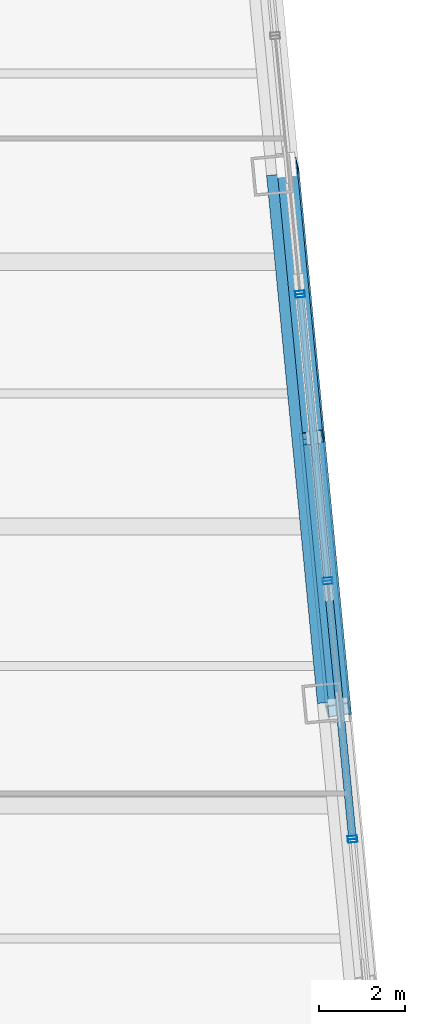
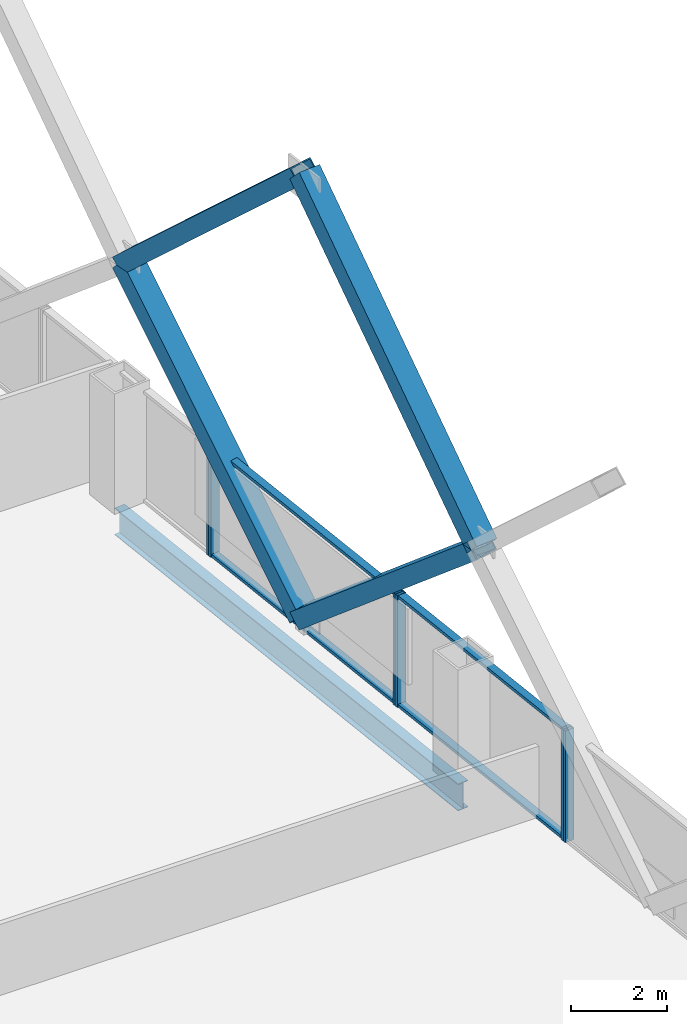
# One storey, part 16 of 32: 14 members, 1 beam, 4 elements without a shape of their own.
"""IFC4 building model written with IfcOpenShell, lengths in metres."""

from ifc_helpers import new_model, si_unit, direction, frame, origin, origin_2d, place, context, subcontext, project, spatial, hollow_rectangle, i_section, extrude, material, layer, layer_set, material_profile, profile_set, type_object, element, aggregate, save


model = new_model("IFC4")

# Units and contexts
model_context = context("Model", 3, precision=1e-05, world=origin(), true_north=direction((0.0, 1.0)))
body_context = subcontext(model_context, "Body", "Model", "MODEL_VIEW")
ifc_project = project(units=[si_unit("LENGTHUNIT", "METRE"), si_unit("AREAUNIT", "SQUARE_METRE"), si_unit("VOLUMEUNIT", "CUBIC_METRE"), si_unit("PLANEANGLEUNIT", "RADIAN"), si_unit("MASSUNIT", "GRAM", prefix="KILO")], contexts=[model_context])

# Site, building, storey
site_placement = place(None, origin())
site = spatial("IfcSite", under=ifc_project, at=site_placement, CompositionType="ELEMENT")
building_placement = place(site_placement, origin())
building = spatial("IfcBuilding", under=site, at=building_placement, Name="Qhalaya Broadcast Tower", CompositionType="ELEMENT")
storey_placement = place(building_placement, frame((0.0, 0.0, 81.64990234375)))
storey = spatial("IfcBuildingStorey", under=building, at=storey_placement, Name="L23", CompositionType="ELEMENT", Elevation=81.64990234375)

# Members
ifc_material_1 = material(Name="Structural Steel ASTM A572 Grade 50", Category="steel")
ifc_material_profile_1 = material_profile(ifc_material_1, hollow_rectangle(XDim=0.419921875, YDim=0.550048828125, WallThickness=0.028076171875, at=origin_2d()), Name="BOX 420x550x28")
ifc_profile_set_1 = profile_set([ifc_material_profile_1], Name="Structural Steel ASTM A572 Grade 50")
member_type_1 = type_object("IfcMemberType", Name="Exoskeleton Diamond Diagonal Mid-Low EX2", PredefinedType="BRACE", material=ifc_profile_set_1)
for number, where, z_axis, x_axis, name in (
    (1, (27.867431640625, 5.882568359375, 0.360107421875), (0.073066636585, -0.758635580976, 0.647405067864), (-0.157184996454, 0.632267567763, 0.758637330775), "B2 Exoskeleton Diamond Brace E2-D1"),
    (2, (27.867431640625, 5.882568359375, 0.360107421875), (-0.07303904182, 0.758624738066, 0.647420887186), (0.157164580548, -0.632288692036, 0.758623954634), "B2 Exoskeleton Diamond Brace E2-D2"),
):
    element("IfcMember", number, at=place(storey_placement, frame(where, z_axis=z_axis, x_axis=x_axis)), inside=storey, type_object=member_type_1, Name=name, PredefinedType="BRACE", context=body_context, shape_type="SweptSolid", body=[
        extrude(hollow_rectangle(XDim=0.419921875, YDim=0.550048828125, WallThickness=0.028076171875, at=origin_2d()), origin(), (0.0, 0.0, 1.0), 8.309814453125),
    ])
member_1_placement = place(storey_placement, frame((28.474609375, -0.421630859375, 5.739990234375), z_axis=(-0.070368182799, 0.730618100613, 0.6791505797), x_axis=(0.160214414414, -0.663721379818, 0.730619785789)))
element("IfcMember", 3, at=member_1_placement, inside=storey, type_object=member_type_1, Name="B2 Exoskeleton Diamond Brace E2-D3", PredefinedType="BRACE", context=body_context, shape_type="SweptSolid", body=[
    extrude(hollow_rectangle(XDim=0.419921875, YDim=0.550048828125, WallThickness=0.028076171875, at=origin_2d()), origin(), (0.0, 0.0, 1.0), 8.628662109375),
])
member_2_placement = place(storey_placement, frame((27.260498046875, 12.1865234375, 5.739990234375), z_axis=(0.070341482536, -0.730606363857, 0.679165971561), x_axis=(-0.160192867019, 0.663742185587, 0.73060560936)))
element("IfcMember", 4, at=member_2_placement, inside=storey, type_object=member_type_1, Name="B2 Exoskeleton Diamond Brace E2-D4", PredefinedType="BRACE", context=body_context, shape_type="SweptSolid", body=[
    extrude(hollow_rectangle(XDim=0.419921875, YDim=0.550048828125, WallThickness=0.028076171875, at=origin_2d()), origin(), (0.0, 0.0, 1.0), 8.62841796875),
])

# Beam
ifc_material_2 = material(Name="Structural Steel ASTM A992 Grade 50", Category="steel")
ifc_material_profile_2 = material_profile(ifc_material_2, i_section(OverallWidth=0.25390625, OverallDepth=0.68310546875, WebThickness=0.012451171875, FlangeThickness=0.01904296875, at=origin_2d()), Name="W27X94")
ifc_profile_set_2 = profile_set([ifc_material_profile_2], Name="Structural Steel ASTM A992 Grade 50")
beam_type = type_object("IfcBeamType", Name="Perimeter Ring Spandrel Beam SP1", PredefinedType="SPANDREL", material=ifc_profile_set_2)
beam_placement = place(storey_placement, frame((28.116943359375, -0.255126953125, -0.5615234375), z_axis=(-0.095851586307, 0.99539563662, 0.0), x_axis=(-0.99539563662, -0.095851586307, 0.0)))
element("IfcBeam", 5, at=beam_placement, inside=storey, type_object=beam_type, Name="L23 SP1 L23-SPR-06", PredefinedType="SPANDREL", context=body_context, shape_type="SweptSolid", body=[
    extrude(i_section(OverallWidth=0.25390625, OverallDepth=0.68310546875, WebThickness=0.012451171875, FlangeThickness=0.01904296875, at=origin_2d()), origin(), (0.0, 0.0, 1.0), 12.2666015625),
])

# Curtain wall, member
ifc_material_3 = material(Name="Fired Architectural Terracotta", Category="masonry")
ifc_layer_1 = layer(ifc_material_3, 0.219970703125, Name="Fired Architectural Terracotta")
ifc_layer_set_1 = layer_set([ifc_layer_1], Name="Fired Architectural Terracotta")
curtain_wall_type_1 = type_object("IfcCurtainWallType", Name="Block-Cap Unitised Terracotta Spandrel Wall CW-07", PredefinedType="NOTDEFINED", material=ifc_layer_set_1)
curtain_wall_1_placement = place(storey_placement, origin())
curtain_wall_1 = element("IfcCurtainWall", 6, at=curtain_wall_1_placement, inside=storey, type_object=curtain_wall_type_1, Name="L23 Unitised Curtain Wall L23-CW-E2", PredefinedType="NOTDEFINED")
ifc_material_4 = material(Name="Anodised Aluminium 6063-T6", Category="aluminium")
ifc_material_profile_3 = material_profile(ifc_material_4, hollow_rectangle(XDim=0.074951171875, YDim=0.219970703125, WallThickness=0.00390625, at=origin_2d()), Name="ALU-MUL 75x220x4")
ifc_profile_set_3 = profile_set([ifc_material_profile_3], Name="Anodised Aluminium 6063-T6")
member_type_2 = type_object("IfcMemberType", Name="Unitised Curtain-Wall Mullion M01", PredefinedType="MULLION", material=ifc_profile_set_3)
member_3_placement = place(storey_placement, frame((28.8056640625, -3.443115234375, 0.0), z_axis=(0.0, 0.0, 1.0), x_axis=(-0.095856535899, 0.995395159987, 0.0)))
member_3 = element("IfcMember", 7, at=member_3_placement, type_object=member_type_2, Name="CW-07 mullion 2", PredefinedType="MULLION", context=body_context, shape_type="SweptSolid", body=[
    extrude(hollow_rectangle(XDim=0.074951171875, YDim=0.219970703125, WallThickness=0.00390625, at=origin_2d()), origin(), (0.0, 0.0, 1.0), 2.830078125),
])
aggregate(curtain_wall_1, [member_3])

# Curtain wall, members
ifc_material_5 = material(Name="Solar-Control Low-E Triple Glazing", Category="glass")
ifc_layer_2 = layer(ifc_material_5, 0.219970703125, Name="Solar-Control Low-E Triple Glazing")
ifc_layer_set_2 = layer_set([ifc_layer_2], Name="Solar-Control Low-E Triple Glazing")
curtain_wall_type_2 = type_object("IfcCurtainWallType", Name="Even-Block 4-Storey Double-Module Curtain Wall CW-03", PredefinedType="NOTDEFINED", material=ifc_layer_set_2)
curtain_wall_2_placement = place(storey_placement, origin())
curtain_wall_2 = element("IfcCurtainWall", 8, at=curtain_wall_2_placement, inside=storey, type_object=curtain_wall_type_2, Name="L23 Unitised Curtain Wall L23-CW-E3", PredefinedType="NOTDEFINED")
member_4_placement = place(storey_placement, frame((28.79833984375, -3.368408203125, 0.0), z_axis=(0.0, 0.0, 1.0), x_axis=(-0.095837131698, 0.99539702842, 0.0)))
member_4 = element("IfcMember", 9, at=member_4_placement, type_object=member_type_2, Name="CW-03 mullion 1", PredefinedType="MULLION", context=body_context, shape_type="SweptSolid", body=[
    extrude(hollow_rectangle(XDim=0.074951171875, YDim=0.219970703125, WallThickness=0.00390625, at=origin_2d()), origin(), (0.0, 0.0, 1.0), 2.830078125),
])
member_5_placement = place(storey_placement, frame((28.230224609375, 2.533203125, 0.0), z_axis=(0.0, 0.0, 1.0), x_axis=(-0.095837131698, 0.99539702842, 0.0)))
member_5 = element("IfcMember", 10, at=member_5_placement, type_object=member_type_2, Name="CW-03 mullion 2", PredefinedType="MULLION", context=body_context, shape_type="SweptSolid", body=[
    extrude(hollow_rectangle(XDim=0.074951171875, YDim=0.219970703125, WallThickness=0.00390625, at=origin_2d()), origin(), (0.0, 0.0, 1.0), 2.830078125),
])

curtain_wall_3_placement = place(storey_placement, origin())
curtain_wall_3 = element("IfcCurtainWall", 11, at=curtain_wall_3_placement, inside=storey, type_object=curtain_wall_type_1, Name="L23 Unitised Curtain Wall L23-CW-E4", PredefinedType="NOTDEFINED")
member_6_placement = place(storey_placement, frame((28.222900390625, 2.60791015625, 0.0), z_axis=(0.0, 0.0, 1.0), x_axis=(-0.095857417835, 0.995395075056, 0.0)))
member_6 = element("IfcMember", 12, at=member_6_placement, type_object=member_type_2, Name="CW-07 mullion 1", PredefinedType="MULLION", context=body_context, shape_type="SweptSolid", body=[
    extrude(hollow_rectangle(XDim=0.074951171875, YDim=0.219970703125, WallThickness=0.00390625, at=origin_2d()), origin(), (0.0, 0.0, 1.0), 2.830078125),
])
member_7_placement = place(storey_placement, frame((27.591552734375, 9.16455078125, 0.0), z_axis=(0.0, 0.0, 1.0), x_axis=(-0.095857417835, 0.995395075056, 0.0)))
member_7 = element("IfcMember", 13, at=member_7_placement, type_object=member_type_2, Name="CW-07 mullion 2", PredefinedType="MULLION", context=body_context, shape_type="SweptSolid", body=[
    extrude(hollow_rectangle(XDim=0.074951171875, YDim=0.219970703125, WallThickness=0.00390625, at=origin_2d()), origin(), (0.0, 0.0, 1.0), 2.830078125),
])

# Curtain wall, member
curtain_wall_4_placement = place(storey_placement, origin())
curtain_wall_4 = element("IfcCurtainWall", 14, at=curtain_wall_4_placement, inside=storey, type_object=curtain_wall_type_2, Name="L23 Unitised Curtain Wall L23-CW-E5", PredefinedType="NOTDEFINED")
member_8_placement = place(storey_placement, frame((27.58447265625, 9.2392578125, 0.0), z_axis=(0.0, 0.0, 1.0), x_axis=(-0.095835542837, 0.995397181395, 0.0)))
member_8 = element("IfcMember", 15, at=member_8_placement, type_object=member_type_2, Name="CW-03 mullion 1", PredefinedType="MULLION", context=body_context, shape_type="SweptSolid", body=[
    extrude(hollow_rectangle(XDim=0.074951171875, YDim=0.219970703125, WallThickness=0.00390625, at=origin_2d()), origin(), (0.0, 0.0, 1.0), 2.830078125),
])
aggregate(curtain_wall_4, [member_8])

# Member
ifc_material_profile_4 = material_profile(ifc_material_4, hollow_rectangle(XDim=0.074951171875, YDim=0.179931640625, WallThickness=0.00390625, at=origin_2d()), Name="ALU-TRN 75x180x4")
ifc_profile_set_4 = profile_set([ifc_material_profile_4], Name="Anodised Aluminium 6063-T6")
member_type_3 = type_object("IfcMemberType", Name="Unitised Curtain-Wall Transom T01", PredefinedType="USERDEFINED", material=ifc_profile_set_4)
member_9_placement = place(storey_placement, frame((28.794921875, -3.3310546875, 0.03759765625), z_axis=(-0.095840351071, 0.995396718453, 0.0), x_axis=(0.0, 0.0, 1.0)))
member_9 = element("IfcMember", 16, at=member_9_placement, type_object=member_type_3, Name="CW-03 transom 1.1", ObjectType="TRANSOM", PredefinedType="USERDEFINED", context=body_context, shape_type="SweptSolid", body=[
    extrude(hollow_rectangle(XDim=0.074951171875, YDim=0.179931640625, WallThickness=0.00390625, at=origin_2d()), origin(), (0.0, 0.0, 1.0), 5.853759765625),
])

member_10_placement = place(storey_placement, frame((28.794921875, -3.3310546875, 2.79248046875), z_axis=(-0.095840351071, 0.995396718453, 0.0), x_axis=(0.0, 0.0, 1.0)))
member_10 = element("IfcMember", 17, at=member_10_placement, type_object=member_type_3, Name="CW-03 transom 1.2", ObjectType="TRANSOM", PredefinedType="USERDEFINED", context=body_context, shape_type="SweptSolid", body=[
    extrude(hollow_rectangle(XDim=0.074951171875, YDim=0.179931640625, WallThickness=0.00390625, at=origin_2d()), origin(), (0.0, 0.0, 1.0), 5.853759765625),
])

aggregate(curtain_wall_2, [member_4, member_5, member_9, member_10])

member_11_placement = place(storey_placement, frame((28.219482421875, 2.645263671875, 0.03759765625), z_axis=(-0.095865283241, 0.995394317579, 0.0), x_axis=(0.0, 0.0, 1.0)))
member_11 = element("IfcMember", 18, at=member_11_placement, type_object=member_type_3, Name="CW-07 transom 1.1", ObjectType="TRANSOM", PredefinedType="USERDEFINED", context=body_context, shape_type="SweptSolid", body=[
    extrude(hollow_rectangle(XDim=0.074951171875, YDim=0.179931640625, WallThickness=0.00390625, at=origin_2d()), origin(), (0.0, 0.0, 1.0), 6.511962890625),
])

member_12_placement = place(storey_placement, frame((28.219482421875, 2.645263671875, 2.79248046875), z_axis=(-0.095865283241, 0.995394317579, 0.0), x_axis=(0.0, 0.0, 1.0)))
member_12 = element("IfcMember", 19, at=member_12_placement, type_object=member_type_3, Name="CW-07 transom 1.2", ObjectType="TRANSOM", PredefinedType="USERDEFINED", context=body_context, shape_type="SweptSolid", body=[
    extrude(hollow_rectangle(XDim=0.074951171875, YDim=0.179931640625, WallThickness=0.00390625, at=origin_2d()), origin(), (0.0, 0.0, 1.0), 6.511962890625),
])

aggregate(curtain_wall_3, [member_6, member_7, member_11, member_12])

save(model, "model.ifc")
